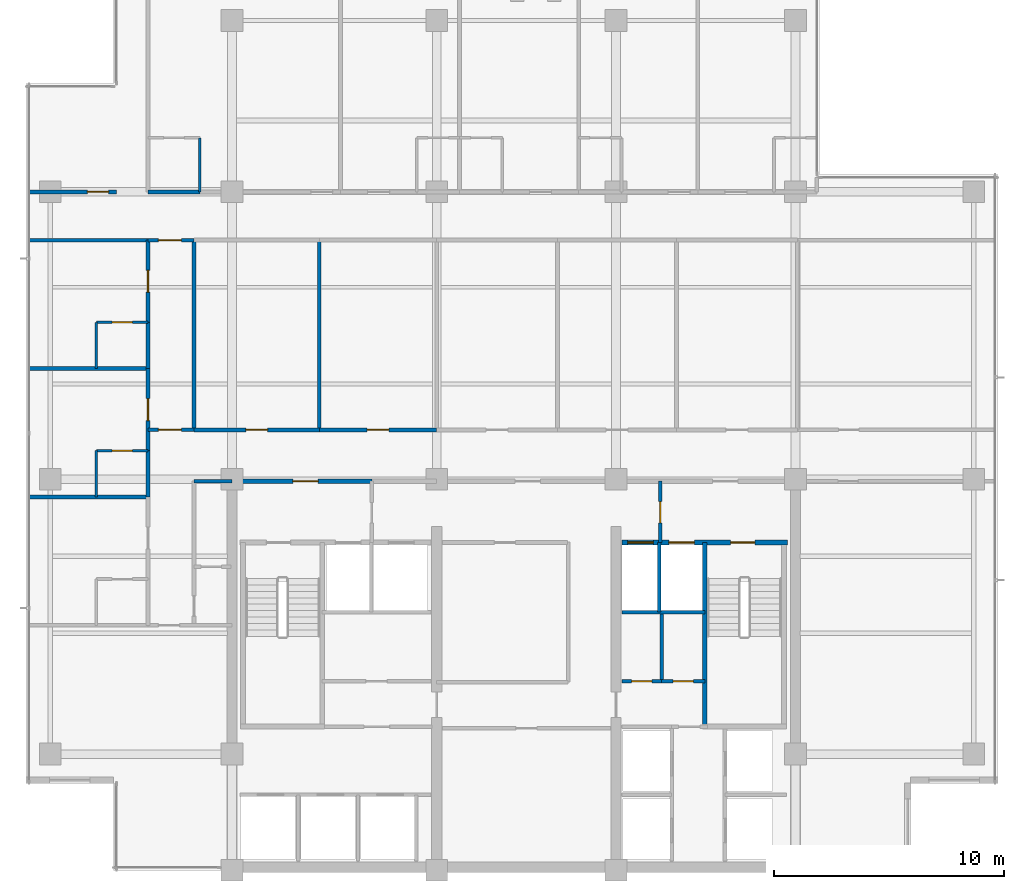
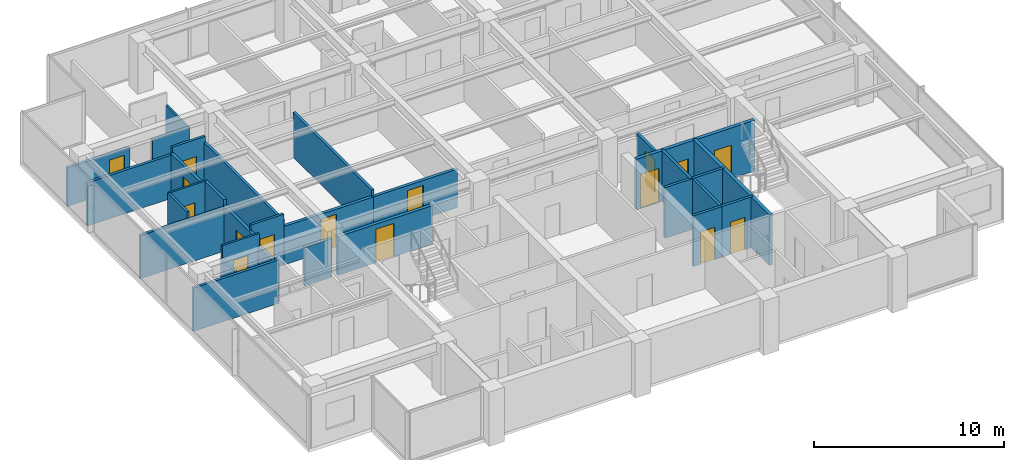
# One storey, part 8 of 15: 30 walls, 16 doors, 16 openings.
"""IFC4 building model written with IfcOpenShell, lengths in metres."""

from ifc_helpers import new_model, si_unit, direction, frame, frame_2d, origin, place, context, subcontext, project, spatial, rectangle, extrude, material, layer, layer_set, type_object, element, fill, save


model = new_model("IFC4")

# Units and contexts
model_context = context("Model", 3, precision=1e-05, world=origin(), true_north=direction((0.0, 1.0)))
body_context = subcontext(model_context, "Body", "Model", "MODEL_VIEW")
ifc_project = project(units=[si_unit("LENGTHUNIT", "METRE"), si_unit("AREAUNIT", "SQUARE_METRE"), si_unit("VOLUMEUNIT", "CUBIC_METRE"), si_unit("PLANEANGLEUNIT", "RADIAN"), si_unit("MASSUNIT", "GRAM", prefix="KILO")], contexts=[model_context])

# Site, building, storey
site_placement = place(None, origin())
site = spatial("IfcSite", under=ifc_project, at=site_placement, CompositionType="ELEMENT")
building_placement = place(site_placement, origin())
building = spatial("IfcBuilding", under=site, at=building_placement, Name="Qalmaran Belvedere Hotel", CompositionType="ELEMENT")
storey_placement = place(building_placement, frame((0.0, 0.0, 203.89990234375)))
storey = spatial("IfcBuildingStorey", under=building, at=storey_placement, Name="L51", CompositionType="ELEMENT", Elevation=203.89990234375)

# Wall
ifc_material_1 = material(Name="Moisture-Resistant Gypsum")
ifc_layer_1 = layer(ifc_material_1, 0.1201171875, Name="Moisture-Resistant Gypsum")
ifc_layer_set_1 = layer_set([ifc_layer_1], Name="Moisture-Resistant Gypsum")
wall_type_1 = type_object("IfcWallType", Name="WL-INT-120-BATH", PredefinedType="PARTITIONING", material=ifc_layer_set_1)
wall_1_placement = place(storey_placement, frame((18.89990234375, 33.0, 0.0), z_axis=(0.0, 0.0, 1.0), x_axis=(0.0, 1.0, 0.0)))
element("IfcWall", 1, at=wall_1_placement, inside=storey, type_object=wall_type_1, Name="L51 Partition WL-L51-NBS00", PredefinedType="PARTITIONING", context=body_context, shape_type="SweptSolid", body=[
    extrude(rectangle(XDim=2.35009765625, YDim=0.1201171875, at=frame_2d((1.175048828125, 0.0))), origin(), (0.0, 0.0, 1.0), 2.47216796875),
])

# Wall, opening, door
wall_2_placement = place(storey_placement, frame((14.39990234375, 21.743408203125, 0.0), z_axis=(0.0, 0.0, 1.0), x_axis=(1.0, 0.0, 0.0)))
wall_2 = element("IfcWall", 2, at=wall_2_placement, inside=storey, type_object=wall_type_1, Name="L51 Partition WL-L51-WBN01", PredefinedType="PARTITIONING", context=body_context, shape_type="SweptSolid", body=[
    extrude(rectangle(XDim=2.25, YDim=0.1201171875, at=frame_2d((1.125, 0.0))), origin(), (0.0, 0.0, 1.0), 3.260009765625),
])
opening_1_placement = place(wall_2_placement, frame((1.56494140625, 0.0, 0.0), z_axis=(0.0, 0.0, 1.0), x_axis=(-1.0, 0.0, 0.0)))
opening_1 = element("IfcOpeningElement", 3, at=opening_1_placement, cuts=wall_2, Name="Opening D-BATH", PredefinedType="OPENING", context=body_context, shape_type="SweptSolid", body=[
    extrude(rectangle(XDim=0.8798828125, YDim=2.080078125, at=frame_2d((0.43994140625, 1.0400390625))), frame((0.0, 0.070068359375, 0.0), z_axis=(0.0, -1.0, 0.0), x_axis=(1.0, 0.0, 0.0)), (0.0, 0.0, 1.0), 0.14013671875),
])
ifc_material_2 = material(Name="Engineered Oak Veneer")
door_type_1 = type_object("IfcDoorType", Name="DR-INT-BATH-880X2080", OperationType="NOTDEFINED", PredefinedType="DOOR", material=ifc_material_2)
door_1_placement = place(opening_1_placement, origin())
door_1 = element("IfcDoor", 4, at=door_1_placement, inside=storey, type_object=door_type_1, Name="L51 W Ensuite Door 02", OperationType="SINGLE_SWING_RIGHT", OverallHeight=2.080078125, OverallWidth=0.8798828125, PredefinedType="DOOR", context=body_context, shape_type="SweptSolid", body=[
    extrude(rectangle(XDim=0.8798828125, YDim=2.080078125, at=frame_2d((0.43994140625, 1.0400390625))), frame((0.0, 0.02490234375, 0.0), z_axis=(0.0, -1.0, 0.0), x_axis=(1.0, 0.0, 0.0)), (0.0, 0.0, 1.0), 0.050048828125),
])
fill(opening_1, door_1)

# Wall
wall_3_placement = place(storey_placement, frame((14.39990234375, 19.7333984375, 0.0), z_axis=(0.0, 0.0, 1.0), x_axis=(0.0, 1.0, 0.0)))
element("IfcWall", 5, at=wall_3_placement, inside=storey, type_object=wall_type_1, Name="L51 Partition WL-L51-WBS01", PredefinedType="PARTITIONING", context=body_context, shape_type="SweptSolid", body=[
    extrude(rectangle(XDim=2.010009765625, YDim=0.1201171875, at=frame_2d((1.0048828125, 0.0))), origin(), (0.0, 0.0, 1.0), 2.47216796875),
])

# Wall, opening, door
wall_4_placement = place(storey_placement, frame((14.39990234375, 27.32666015625, 0.0), z_axis=(0.0, 0.0, 1.0), x_axis=(1.0, 0.0, 0.0)))
wall_4 = element("IfcWall", 6, at=wall_4_placement, inside=storey, type_object=wall_type_1, Name="L51 Partition WL-L51-WBN02", PredefinedType="PARTITIONING", context=body_context, shape_type="SweptSolid", body=[
    extrude(rectangle(XDim=2.25, YDim=0.1201171875, at=frame_2d((1.125, 0.0))), origin(), (0.0, 0.0, 1.0), 3.260009765625),
])
opening_2_placement = place(wall_4_placement, frame((1.56494140625, 0.0, 0.0), z_axis=(0.0, 0.0, 1.0), x_axis=(-1.0, 0.0, 0.0)))
opening_2 = element("IfcOpeningElement", 7, at=opening_2_placement, cuts=wall_4, Name="Opening D-BATH", PredefinedType="OPENING", context=body_context, shape_type="SweptSolid", body=[
    extrude(rectangle(XDim=0.8798828125, YDim=2.080078125, at=frame_2d((0.43994140625, 1.0400390625))), frame((0.0, 0.070068359375, 0.0), z_axis=(0.0, -1.0, 0.0), x_axis=(1.0, 0.0, 0.0)), (0.0, 0.0, 1.0), 0.14013671875),
])
door_2_placement = place(opening_2_placement, origin())
door_2 = element("IfcDoor", 8, at=door_2_placement, inside=storey, type_object=door_type_1, Name="L51 W Ensuite Door 03", OperationType="SINGLE_SWING_RIGHT", OverallHeight=2.080078125, OverallWidth=0.8798828125, PredefinedType="DOOR", context=body_context, shape_type="SweptSolid", body=[
    extrude(rectangle(XDim=0.8798828125, YDim=2.080078125, at=frame_2d((0.43994140625, 1.0400390625))), frame((0.0, 0.02490234375, 0.0), z_axis=(0.0, -1.0, 0.0), x_axis=(1.0, 0.0, 0.0)), (0.0, 0.0, 1.0), 0.050048828125),
])
fill(opening_2, door_2)

# Walls
wall_5_placement = place(storey_placement, frame((14.39990234375, 25.316650390625, 0.0), z_axis=(0.0, 0.0, 1.0), x_axis=(0.0, 1.0, 0.0)))
element("IfcWall", 9, at=wall_5_placement, inside=storey, type_object=wall_type_1, Name="L51 Partition WL-L51-WBS02", PredefinedType="PARTITIONING", context=body_context, shape_type="SweptSolid", body=[
    extrude(rectangle(XDim=2.010009765625, YDim=0.1201171875, at=frame_2d((1.0048828125, 0.0))), origin(), (0.0, 0.0, 1.0), 3.260009765625),
])
ifc_material_3 = material(Name="Gypsum Stud Partition")
ifc_layer_2 = layer(ifc_material_3, 0.14990234375, Name="Gypsum Stud Partition")
ifc_layer_set_2 = layer_set([ifc_layer_2], Name="Gypsum Stud Partition")
wall_type_2 = type_object("IfcWallType", Name="WL-INT-150-EI120", PredefinedType="PARTITIONING", material=ifc_layer_set_2)
wall_6_placement = place(storey_placement, frame((38.8798828125, 14.719970703125, 0.0), z_axis=(0.0, 0.0, 1.0), x_axis=(0.0, 1.0, 0.0)))
element("IfcWall", 10, at=wall_6_placement, inside=storey, type_object=wall_type_2, Name="L51 Partition WL-FF2M-L51", PredefinedType="PARTITIONING", context=body_context, shape_type="SweptSolid", body=[
    extrude(rectangle(XDim=3.0400390625, YDim=0.14990234375, at=frame_2d((1.52001953125, 0.0))), origin(), (0.0, 0.0, 1.0), 3.260009765625),
])
ifc_layer_3 = layer(ifc_material_3, 0.14990234375, Name="Gypsum Stud Partition")
ifc_layer_set_3 = layer_set([ifc_layer_3], Name="Gypsum Stud Partition")
wall_type_3 = type_object("IfcWallType", Name="WL-INT-150-EI60", PredefinedType="PARTITIONING", material=ifc_layer_set_3)
wall_7_placement = place(storey_placement, frame((38.98291015625, 11.719970703125, 0.0), z_axis=(0.0, 0.0, 1.0), x_axis=(0.0, 1.0, 0.0)))
element("IfcWall", 11, at=wall_7_placement, inside=storey, type_object=wall_type_3, Name="L51 Partition WL-L51-KEV1", PredefinedType="PARTITIONING", context=body_context, shape_type="SweptSolid", body=[
    extrude(rectangle(XDim=2.929931640625, YDim=0.14990234375, at=frame_2d((1.46484375, 0.0))), origin(), (0.0, 0.0, 1.0), 3.260009765625),
])

# Wall, opening, door
wall_8_placement = place(storey_placement, frame((16.64990234375, 22.64990234375, 0.0), z_axis=(0.0, 0.0, 1.0), x_axis=(1.0, 0.0, 0.0)))
wall_8 = element("IfcWall", 12, at=wall_8_placement, inside=storey, type_object=wall_type_3, Name="L51 Partition WL-L51-XCW1", PredefinedType="PARTITIONING", context=body_context, shape_type="SweptSolid", body=[
    extrude(rectangle(XDim=2.0, YDim=0.14990234375, at=frame_2d((1.0, 0.0))), origin(), (0.0, 0.0, 1.0), 3.260009765625),
])
opening_3_placement = place(wall_8_placement, frame((0.449951171875, 0.0, 0.0)))
opening_3 = element("IfcOpeningElement", 13, at=opening_3_placement, cuts=wall_8, Name="Opening FD90B", PredefinedType="OPENING", context=body_context, shape_type="SweptSolid", body=[
    extrude(rectangle(XDim=1.0, YDim=2.14990234375, at=frame_2d((0.5, 1.074951171875))), frame((0.0, 0.0849609375, 0.0), z_axis=(0.0, -1.0, 0.0), x_axis=(1.0, 0.0, 0.0)), (0.0, 0.0, 1.0), 0.169921875),
])
ifc_material_4 = material(Name="Steel S355JR", Category="steel")
door_type_2 = type_object("IfcDoorType", Name="DR-FD90B-1000X2150", OperationType="NOTDEFINED", PredefinedType="DOOR", material=ifc_material_4)
door_3_placement = place(opening_3_placement, origin())
door_3 = element("IfcDoor", 14, at=door_3_placement, inside=storey, type_object=door_type_2, Name="L51 West Corridor Smoke Door S", OperationType="SINGLE_SWING_LEFT", OverallHeight=2.14990234375, OverallWidth=1.0, PredefinedType="DOOR", context=body_context, shape_type="SweptSolid", body=[
    extrude(rectangle(XDim=1.0, YDim=2.14990234375, at=frame_2d((0.5, 1.074951171875))), frame((0.0, 0.02490234375, 0.0), z_axis=(0.0, -1.0, 0.0), x_axis=(1.0, 0.0, 0.0)), (0.0, 0.0, 1.0), 0.050048828125),
])
fill(opening_3, door_3)

wall_9_placement = place(storey_placement, frame((16.64990234375, 30.89990234375, 0.0), z_axis=(0.0, 0.0, 1.0), x_axis=(1.0, 0.0, 0.0)))
wall_9 = element("IfcWall", 15, at=wall_9_placement, inside=storey, type_object=wall_type_3, Name="L51 Partition WL-L51-XCW2", PredefinedType="PARTITIONING", context=body_context, shape_type="SweptSolid", body=[
    extrude(rectangle(XDim=2.0, YDim=0.14990234375, at=frame_2d((1.0, 0.0))), origin(), (0.0, 0.0, 1.0), 3.260009765625),
])
opening_4_placement = place(wall_9_placement, frame((0.449951171875, 0.0, 0.0)))
opening_4 = element("IfcOpeningElement", 16, at=opening_4_placement, cuts=wall_9, Name="Opening FD90B", PredefinedType="OPENING", context=body_context, shape_type="SweptSolid", body=[
    extrude(rectangle(XDim=1.0, YDim=2.14990234375, at=frame_2d((0.5, 1.074951171875))), frame((0.0, 0.0849609375, 0.0), z_axis=(0.0, -1.0, 0.0), x_axis=(1.0, 0.0, 0.0)), (0.0, 0.0, 1.0), 0.169921875),
])
door_4_placement = place(opening_4_placement, origin())
door_4 = element("IfcDoor", 17, at=door_4_placement, inside=storey, type_object=door_type_2, Name="L51 West Corridor Smoke Door N", OperationType="SINGLE_SWING_RIGHT", OverallHeight=2.14990234375, OverallWidth=1.0, PredefinedType="DOOR", context=body_context, shape_type="SweptSolid", body=[
    extrude(rectangle(XDim=1.0, YDim=2.14990234375, at=frame_2d((0.5, 1.074951171875))), frame((0.0, 0.02490234375, 0.0), z_axis=(0.0, -1.0, 0.0), x_axis=(1.0, 0.0, 0.0)), (0.0, 0.0, 1.0), 0.050048828125),
])
fill(opening_4, door_4)

ifc_layer_4 = layer(ifc_material_3, 0.159912109375, Name="Gypsum Stud Partition")
ifc_layer_set_4 = layer_set([ifc_layer_4], Name="Gypsum Stud Partition")
wall_type_4 = type_object("IfcWallType", Name="WL-INT-160-EI120", PredefinedType="PARTITIONING", material=ifc_layer_set_4)
wall_10_placement = place(storey_placement, frame((38.919921875, 17.760009765625, 0.0), z_axis=(0.0, 0.0, 1.0), x_axis=(0.0, 1.0, 0.0)))
wall_10 = element("IfcWall", 18, at=wall_10_placement, inside=storey, type_object=wall_type_4, Name="L51 Partition WL-FFSV2-L51", PredefinedType="PARTITIONING", context=body_context, shape_type="SweptSolid", body=[
    extrude(rectangle(XDim=2.659912109375, YDim=0.159912109375, at=frame_2d((1.330078125, 0.0))), origin(), (0.0, 0.0, 1.0), 2.7060546875),
])
opening_5_placement = place(wall_10_placement, frame((1.77001953125, 0.0, 0.0), z_axis=(0.0, 0.0, 1.0), x_axis=(-1.0, 0.0, 0.0)))
opening_5 = element("IfcOpeningElement", 19, at=opening_5_placement, cuts=wall_10, Name="Opening FD60S1", PredefinedType="OPENING", context=body_context, shape_type="SweptSolid", body=[
    extrude(rectangle(XDim=0.919921875, YDim=2.080078125, at=frame_2d((0.4599609375, 1.0400390625))), frame((0.0, 0.08984375, 0.0), z_axis=(0.0, -1.0, 0.0), x_axis=(1.0, 0.0, 0.0)), (0.0, 0.0, 1.0), 0.179931640625),
])
door_type_3 = type_object("IfcDoorType", Name="DR-FD60S-920X2080", OperationType="NOTDEFINED", PredefinedType="DOOR", material=ifc_material_2)
door_5_placement = place(opening_5_placement, origin())
door_5 = element("IfcDoor", 20, at=door_5_placement, inside=storey, type_object=door_type_3, Name="L51 Service Lobby East Door", OperationType="SINGLE_SWING_RIGHT", OverallHeight=2.080078125, OverallWidth=0.919921875, PredefinedType="DOOR", context=body_context, shape_type="SweptSolid", body=[
    extrude(rectangle(XDim=0.919921875, YDim=2.080078125, at=frame_2d((0.4599609375, 1.0400390625))), frame((0.0, 0.02490234375, 0.0), z_axis=(0.0, -1.0, 0.0), x_axis=(1.0, 0.0, 0.0)), (0.0, 0.0, 1.0), 0.050048828125),
])
fill(opening_5, door_5)

# Wall
wall_11_placement = place(storey_placement, frame((37.25, 14.719970703125, 0.0), z_axis=(0.0, 0.0, 1.0), x_axis=(1.0, 0.0, 0.0)))
element("IfcWall", 21, at=wall_11_placement, inside=storey, type_object=wall_type_4, Name="L51 Partition WL-FF2S-L51", PredefinedType="PARTITIONING", context=body_context, shape_type="SweptSolid", body=[
    extrude(rectangle(XDim=3.610107421875, YDim=0.159912109375, at=frame_2d((1.80517578125, 0.0))), origin(), (0.0, 0.0, 1.0), 3.260009765625),
])

# Wall, opening, door
ifc_layer_5 = layer(ifc_material_3, 0.159912109375, Name="Gypsum Stud Partition")
ifc_layer_set_5 = layer_set([ifc_layer_5], Name="Gypsum Stud Partition")
wall_type_5 = type_object("IfcWallType", Name="WL-INT-160-EI60", PredefinedType="PARTITIONING", material=ifc_layer_set_5)
wall_12_placement = place(storey_placement, frame((37.25, 11.719970703125, 0.0), z_axis=(0.0, 0.0, 1.0), x_axis=(1.0, 0.0, 0.0)))
wall_12 = element("IfcWall", 22, at=wall_12_placement, inside=storey, type_object=wall_type_5, Name="L51 Partition WL-L51-KEE1", PredefinedType="PARTITIONING", context=body_context, shape_type="SweptSolid", body=[
    extrude(rectangle(XDim=1.73291015625, YDim=0.159912109375, at=frame_2d((0.866455078125, 0.0))), origin(), (0.0, 0.0, 1.0), 3.260009765625),
])
opening_6_placement = place(wall_12_placement, frame((0.426513671875, 0.0, 0.0)))
opening_6 = element("IfcOpeningElement", 23, at=opening_6_placement, cuts=wall_12, Name="Opening FD60B", PredefinedType="OPENING", context=body_context, shape_type="SweptSolid", body=[
    extrude(rectangle(XDim=0.8798828125, YDim=2.080078125, at=frame_2d((0.43994140625, 1.0400390625))), frame((0.0, 0.08984375, 0.0), z_axis=(0.0, -1.0, 0.0), x_axis=(1.0, 0.0, 0.0)), (0.0, 0.0, 1.0), 0.179931640625),
])
door_type_4 = type_object("IfcDoorType", Name="DR-FD60B-880X2080", OperationType="NOTDEFINED", PredefinedType="DOOR", material=ifc_material_4)
door_6_placement = place(opening_6_placement, origin())
door_6 = element("IfcDoor", 24, at=door_6_placement, inside=storey, type_object=door_type_4, Name="L51 Cleaner Equipment Store Door", OperationType="SINGLE_SWING_LEFT", OverallHeight=2.080078125, OverallWidth=0.8798828125, PredefinedType="DOOR", context=body_context, shape_type="SweptSolid", body=[
    extrude(rectangle(XDim=0.8798828125, YDim=2.080078125, at=frame_2d((0.43994140625, 1.0400390625))), frame((0.0, 0.02490234375, 0.0), z_axis=(0.0, -1.0, 0.0), x_axis=(1.0, 0.0, 0.0)), (0.0, 0.0, 1.0), 0.050048828125),
])
fill(opening_6, door_6)

wall_13_placement = place(storey_placement, frame((38.98291015625, 11.719970703125, 0.0), z_axis=(0.0, 0.0, 1.0), x_axis=(1.0, 0.0, 0.0)))
wall_13 = element("IfcWall", 25, at=wall_13_placement, inside=storey, type_object=wall_type_5, Name="L51 Partition WL-L51-KEE2", PredefinedType="PARTITIONING", context=body_context, shape_type="SweptSolid", body=[
    extrude(rectangle(XDim=1.877197265625, YDim=0.159912109375, at=frame_2d((0.9384765625, 0.0))), origin(), (0.0, 0.0, 1.0), 3.260009765625),
])
opening_7_placement = place(wall_13_placement, frame((0.49853515625, 0.0, 0.0)))
opening_7 = element("IfcOpeningElement", 26, at=opening_7_placement, cuts=wall_13, Name="Opening FD60B", PredefinedType="OPENING", context=body_context, shape_type="SweptSolid", body=[
    extrude(rectangle(XDim=0.8798828125, YDim=2.080078125, at=frame_2d((0.43994140625, 1.0400390625))), frame((0.0, 0.08984375, 0.0), z_axis=(0.0, -1.0, 0.0), x_axis=(1.0, 0.0, 0.0)), (0.0, 0.0, 1.0), 0.179931640625),
])
door_7_placement = place(opening_7_placement, origin())
door_7 = element("IfcDoor", 27, at=door_7_placement, inside=storey, type_object=door_type_4, Name="L51 Low Voltage Switch Room Door", OperationType="SINGLE_SWING_RIGHT", OverallHeight=2.080078125, OverallWidth=0.8798828125, PredefinedType="DOOR", context=body_context, shape_type="SweptSolid", body=[
    extrude(rectangle(XDim=0.8798828125, YDim=2.080078125, at=frame_2d((0.43994140625, 1.0400390625))), frame((0.0, 0.02490234375, 0.0), z_axis=(0.0, -1.0, 0.0), x_axis=(1.0, 0.0, 0.0)), (0.0, 0.0, 1.0), 0.050048828125),
])
fill(opening_7, door_7)

# Walls
wall_14_placement = place(storey_placement, frame((18.64990234375, 20.419921875, 0.0), z_axis=(0.0, 0.0, 1.0), x_axis=(1.0, 0.0, 0.0)))
element("IfcWall", 28, at=wall_14_placement, inside=storey, type_object=wall_type_5, Name="L51 Partition WL-L51-WCLN", PredefinedType="PARTITIONING", context=body_context, shape_type="SweptSolid", body=[
    extrude(rectangle(XDim=1.650146484375, YDim=0.159912109375, at=frame_2d((0.8251953125, 0.0))), origin(), (0.0, 0.0, 1.0), 2.47216796875),
])
for number, where, z_axis, x_axis, name in (
    (29, (18.64990234375, 22.64990234375, 0.0), (0.0, 0.0, 1.0), (0.0, 1.0, 0.0), "L51 Partition WL-L51-MIDVL"),
    (30, (24.10009765625, 22.64990234375, 0.0), (0.0, 0.0, 1.0), (0.0, 1.0, 0.0), "L51 Partition WL-L51-MIDVR1"),
):
    element("IfcWall", number, at=place(storey_placement, frame(where, z_axis=z_axis, x_axis=x_axis)), inside=storey, type_object=wall_type_5, Name=name, PredefinedType="PARTITIONING", context=body_context, shape_type="SweptSolid", body=[
        extrude(rectangle(XDim=8.25, YDim=0.159912109375, at=frame_2d((4.125, 0.0))), origin(), (0.0, 0.0, 1.0), 2.88720703125),
    ])
for number, where, z_axis, x_axis, name in (
    (31, (11.469970703125, 19.7333984375, 0.0), (0.0, 0.0, 1.0), (1.0, 0.0, 0.0), "L51 Partition WL-L51-WU00"),
    (32, (11.469970703125, 25.316650390625, 0.0), (0.0, 0.0, 1.0), (1.0, 0.0, 0.0), "L51 Partition WL-L51-WU01"),
    (33, (11.469970703125, 30.89990234375, 0.0), (0.0, 0.0, 1.0), (1.0, 0.0, 0.0), "L51 Partition WL-L51-WU02"),
):
    element("IfcWall", number, at=place(storey_placement, frame(where, z_axis=z_axis, x_axis=x_axis)), inside=storey, type_object=wall_type_5, Name=name, PredefinedType="PARTITIONING", context=body_context, shape_type="SweptSolid", body=[
        extrude(rectangle(XDim=5.179931640625, YDim=0.159912109375, at=frame_2d((2.58984375, 0.0))), origin(), (0.0, 0.0, 1.0), 2.781982421875),
    ])

# Wall, opening, door
ifc_layer_6 = layer(ifc_material_3, 0.179931640625, Name="Gypsum Stud Partition")
ifc_layer_set_6 = layer_set([ifc_layer_6], Name="Gypsum Stud Partition")
wall_type_6 = type_object("IfcWallType", Name="WL-INT-180-EI60", PredefinedType="PARTITIONING", material=ifc_layer_set_6)
wall_15_placement = place(storey_placement, frame((18.64990234375, 22.64990234375, 0.0), z_axis=(0.0, 0.0, 1.0), x_axis=(1.0, 0.0, 0.0)))
wall_15 = element("IfcWall", 34, at=wall_15_placement, inside=storey, type_object=wall_type_6, Name="L51 Partition WL-L51-MIDD1", PredefinedType="PARTITIONING", context=body_context, shape_type="SweptSolid", body=[
    extrude(rectangle(XDim=5.4501953125, YDim=0.179931640625, at=frame_2d((2.72509765625, 0.0))), origin(), (0.0, 0.0, 1.0), 2.47216796875),
])
opening_8_placement = place(wall_15_placement, frame((2.25, 0.0, 0.0)))
opening_8 = element("IfcOpeningElement", 35, at=opening_8_placement, cuts=wall_15, Name="Opening FD60", PredefinedType="OPENING", context=body_context, shape_type="SweptSolid", body=[
    extrude(rectangle(XDim=0.949951171875, YDim=2.14990234375, at=frame_2d((0.47509765625, 1.074951171875))), frame((0.0, 0.10009765625, 0.0), z_axis=(0.0, -1.0, 0.0), x_axis=(1.0, 0.0, 0.0)), (0.0, 0.0, 1.0), 0.199951171875),
])
door_type_5 = type_object("IfcDoorType", Name="DR-FD60-950X2150", OperationType="NOTDEFINED", PredefinedType="DOOR", material=ifc_material_2)
door_8_placement = place(opening_8_placement, origin())
door_8 = element("IfcDoor", 36, at=door_8_placement, inside=storey, type_object=door_type_5, Name="L51 Housekeeping and Linen Room Door", OperationType="SINGLE_SWING_LEFT", OverallHeight=2.14990234375, OverallWidth=0.949951171875, PredefinedType="DOOR", context=body_context, shape_type="SweptSolid", body=[
    extrude(rectangle(XDim=0.949951171875, YDim=2.14990234375, at=frame_2d((0.47509765625, 1.074951171875))), frame((0.0, 0.02490234375, 0.0), z_axis=(0.0, -1.0, 0.0), x_axis=(1.0, 0.0, 0.0)), (0.0, 0.0, 1.0), 0.050048828125),
])
fill(opening_8, door_8)

wall_16_placement = place(storey_placement, frame((24.10009765625, 22.64990234375, 0.0), z_axis=(0.0, 0.0, 1.0), x_axis=(1.0, 0.0, 0.0)))
wall_16 = element("IfcWall", 37, at=wall_16_placement, inside=storey, type_object=wall_type_6, Name="L51 Partition WL-L51-MIDD2", PredefinedType="PARTITIONING", context=body_context, shape_type="SweptSolid", body=[
    extrude(rectangle(XDim=5.099853515625, YDim=0.179931640625, at=frame_2d((2.5498046875, 0.0))), origin(), (0.0, 0.0, 1.0), 2.47216796875),
])
opening_9_placement = place(wall_16_placement, frame((2.074951171875, 0.0, 0.0)))
opening_9 = element("IfcOpeningElement", 38, at=opening_9_placement, cuts=wall_16, Name="Opening FD60", PredefinedType="OPENING", context=body_context, shape_type="SweptSolid", body=[
    extrude(rectangle(XDim=0.949951171875, YDim=2.14990234375, at=frame_2d((0.47509765625, 1.074951171875))), frame((0.0, 0.10009765625, 0.0), z_axis=(0.0, -1.0, 0.0), x_axis=(1.0, 0.0, 0.0)), (0.0, 0.0, 1.0), 0.199951171875),
])
door_9_placement = place(opening_9_placement, origin())
door_9 = element("IfcDoor", 39, at=door_9_placement, inside=storey, type_object=door_type_5, Name="L51 Butler Pantry Door", OperationType="SINGLE_SWING_RIGHT", OverallHeight=2.14990234375, OverallWidth=0.949951171875, PredefinedType="DOOR", context=body_context, shape_type="SweptSolid", body=[
    extrude(rectangle(XDim=0.949951171875, YDim=2.14990234375, at=frame_2d((0.47509765625, 1.074951171875))), frame((0.0, 0.02490234375, 0.0), z_axis=(0.0, -1.0, 0.0), x_axis=(1.0, 0.0, 0.0)), (0.0, 0.0, 1.0), 0.050048828125),
])
fill(opening_9, door_9)

# Walls
wall_17_placement = place(storey_placement, frame((16.64990234375, 33.0, 0.0), z_axis=(0.0, 0.0, 1.0), x_axis=(1.0, 0.0, 0.0)))
element("IfcWall", 40, at=wall_17_placement, inside=storey, type_object=wall_type_6, Name="L51 Partition WL-L51-NBC00", PredefinedType="PARTITIONING", context=body_context, shape_type="SweptSolid", body=[
    extrude(rectangle(XDim=2.25, YDim=0.179931640625, at=frame_2d((1.125, 0.0))), origin(), (0.0, 0.0, 1.0), 2.47216796875),
])
wall_18_placement = place(storey_placement, frame((16.64990234375, 19.7333984375, 0.0), z_axis=(0.0, 0.0, 1.0), x_axis=(0.0, 1.0, 0.0)))
element("IfcWall", 41, at=wall_18_placement, inside=storey, type_object=wall_type_6, Name="L51 Partition WL-L51-WBC01", PredefinedType="PARTITIONING", context=body_context, shape_type="SweptSolid", body=[
    extrude(rectangle(XDim=2.010009765625, YDim=0.179931640625, at=frame_2d((1.0048828125, 0.0))), origin(), (0.0, 0.0, 1.0), 2.47216796875),
])

# Wall, opening, door
wall_19_placement = place(storey_placement, frame((16.64990234375, 21.743408203125, 0.0), z_axis=(0.0, 0.0, 1.0), x_axis=(0.0, 1.0, 0.0)))
wall_19 = element("IfcWall", 42, at=wall_19_placement, inside=storey, type_object=wall_type_6, Name="L51 Partition WL-L51-WEC01", PredefinedType="PARTITIONING", context=body_context, shape_type="SweptSolid", body=[
    extrude(rectangle(XDim=3.5732421875, YDim=0.179931640625, at=frame_2d((1.78662109375, 0.0))), origin(), (0.0, 0.0, 1.0), 2.88720703125),
])
opening_10_placement = place(wall_19_placement, frame((1.311767578125, 0.0, 0.0)))
opening_10 = element("IfcOpeningElement", 43, at=opening_10_placement, cuts=wall_19, Name="Opening FD60", PredefinedType="OPENING", context=body_context, shape_type="SweptSolid", body=[
    extrude(rectangle(XDim=0.949951171875, YDim=2.14990234375, at=frame_2d((0.47509765625, 1.074951171875))), frame((0.0, 0.10009765625, 0.0), z_axis=(0.0, -1.0, 0.0), x_axis=(1.0, 0.0, 0.0)), (0.0, 0.0, 1.0), 0.199951171875),
])
door_10_placement = place(opening_10_placement, origin())
door_10 = element("IfcDoor", 44, at=door_10_placement, inside=storey, type_object=door_type_5, Name="L51 W Wing Door 02", OperationType="SINGLE_SWING_LEFT", OverallHeight=2.14990234375, OverallWidth=0.949951171875, PredefinedType="DOOR", context=body_context, shape_type="SweptSolid", body=[
    extrude(rectangle(XDim=0.949951171875, YDim=2.14990234375, at=frame_2d((0.47509765625, 1.074951171875))), frame((0.0, 0.02490234375, 0.0), z_axis=(0.0, -1.0, 0.0), x_axis=(1.0, 0.0, 0.0)), (0.0, 0.0, 1.0), 0.050048828125),
])
fill(opening_10, door_10)

# Wall
wall_20_placement = place(storey_placement, frame((16.64990234375, 25.316650390625, 0.0), z_axis=(0.0, 0.0, 1.0), x_axis=(0.0, 1.0, 0.0)))
element("IfcWall", 45, at=wall_20_placement, inside=storey, type_object=wall_type_6, Name="L51 Partition WL-L51-WBC02", PredefinedType="PARTITIONING", context=body_context, shape_type="SweptSolid", body=[
    extrude(rectangle(XDim=2.010009765625, YDim=0.179931640625, at=frame_2d((1.0048828125, 0.0))), origin(), (0.0, 0.0, 1.0), 3.260009765625),
])

# Wall, opening, door
wall_21_placement = place(storey_placement, frame((16.64990234375, 27.32666015625, 0.0), z_axis=(0.0, 0.0, 1.0), x_axis=(0.0, 1.0, 0.0)))
wall_21 = element("IfcWall", 46, at=wall_21_placement, inside=storey, type_object=wall_type_6, Name="L51 Partition WL-L51-WEC02", PredefinedType="PARTITIONING", context=body_context, shape_type="SweptSolid", body=[
    extrude(rectangle(XDim=3.5732421875, YDim=0.179931640625, at=frame_2d((1.78662109375, 0.0))), origin(), (0.0, 0.0, 1.0), 2.88720703125),
])
opening_11_placement = place(wall_21_placement, frame((1.3115234375, 0.0, 0.0)))
opening_11 = element("IfcOpeningElement", 47, at=opening_11_placement, cuts=wall_21, Name="Opening FD60", PredefinedType="OPENING", context=body_context, shape_type="SweptSolid", body=[
    extrude(rectangle(XDim=0.949951171875, YDim=2.14990234375, at=frame_2d((0.47509765625, 1.074951171875))), frame((0.0, 0.10009765625, 0.0), z_axis=(0.0, -1.0, 0.0), x_axis=(1.0, 0.0, 0.0)), (0.0, 0.0, 1.0), 0.199951171875),
])
door_11_placement = place(opening_11_placement, origin())
door_11 = element("IfcDoor", 48, at=door_11_placement, inside=storey, type_object=door_type_5, Name="L51 W Wing Door 03", OperationType="SINGLE_SWING_LEFT", OverallHeight=2.14990234375, OverallWidth=0.949951171875, PredefinedType="DOOR", context=body_context, shape_type="SweptSolid", body=[
    extrude(rectangle(XDim=0.949951171875, YDim=2.14990234375, at=frame_2d((0.47509765625, 1.074951171875))), frame((0.0, 0.02490234375, 0.0), z_axis=(0.0, -1.0, 0.0), x_axis=(1.0, 0.0, 0.0)), (0.0, 0.0, 1.0), 0.050048828125),
])
fill(opening_11, door_11)

wall_22_placement = place(storey_placement, frame((11.469970703125, 33.0, 0.0), z_axis=(0.0, 0.0, 1.0), x_axis=(1.0, 0.0, 0.0)))
wall_22 = element("IfcWall", 49, at=wall_22_placement, inside=storey, type_object=wall_type_6, Name="L51 Partition WL-L51-NWSD", PredefinedType="PARTITIONING", context=body_context, shape_type="SweptSolid", body=[
    extrude(rectangle(XDim=3.800048828125, YDim=0.179931640625, at=frame_2d((1.89990234375, 0.0))), origin(), (0.0, 0.0, 1.0), 2.47216796875),
])
opening_12_placement = place(wall_22_placement, frame((2.543701171875, 0.0, 0.0)))
opening_12 = element("IfcOpeningElement", 50, at=opening_12_placement, cuts=wall_22, Name="Opening FD60S1", PredefinedType="OPENING", context=body_context, shape_type="SweptSolid", body=[
    extrude(rectangle(XDim=0.919921875, YDim=2.080078125, at=frame_2d((0.4599609375, 1.0400390625))), frame((0.0, 0.10009765625, 0.0), z_axis=(0.0, -1.0, 0.0), x_axis=(1.0, 0.0, 0.0)), (0.0, 0.0, 1.0), 0.199951171875),
])
door_12_placement = place(opening_12_placement, origin())
door_12 = element("IfcDoor", 51, at=door_12_placement, inside=storey, type_object=door_type_3, Name="L51 NW Belvedere Study Door", OperationType="SINGLE_SWING_RIGHT", OverallHeight=2.080078125, OverallWidth=0.919921875, PredefinedType="DOOR", context=body_context, shape_type="SweptSolid", body=[
    extrude(rectangle(XDim=0.919921875, YDim=2.080078125, at=frame_2d((0.4599609375, 1.0400390625))), frame((0.0, 0.02490234375, 0.0), z_axis=(0.0, -1.0, 0.0), x_axis=(1.0, 0.0, 0.0)), (0.0, 0.0, 1.0), 0.050048828125),
])
fill(opening_12, door_12)

ifc_material_5 = material(Name="Concrete C30/37 Blockwork", Category="masonry")
ifc_layer_7 = layer(ifc_material_5, 0.199951171875, Name="Concrete C30/37 Blockwork")
ifc_layer_set_7 = layer_set([ifc_layer_7], Name="Concrete C30/37 Blockwork")
wall_type_7 = type_object("IfcWallType", Name="WL-INT-200-EI120", PredefinedType="PARTITIONING", material=ifc_layer_set_7)
wall_23_placement = place(storey_placement, frame((20.64990234375, 20.419921875, 0.0), z_axis=(0.0, 0.0, 1.0), x_axis=(1.0, 0.0, 0.0)))
wall_23 = element("IfcWall", 52, at=wall_23_placement, inside=storey, type_object=wall_type_7, Name="L51 Partition WL-CN1A-L51", PredefinedType="PARTITIONING", context=body_context, shape_type="SweptSolid", body=[
    extrude(rectangle(XDim=5.72998046875, YDim=0.199951171875, at=frame_2d((2.864990234375, 0.0))), origin(), (0.0, 0.0, 1.0), 2.47216796875),
])
opening_13_placement = place(wall_23_placement, frame((2.300048828125, 0.0, 0.0)))
opening_13 = element("IfcOpeningElement", 53, at=opening_13_placement, cuts=wall_23, Name="Opening FD90", PredefinedType="OPENING", context=body_context, shape_type="SweptSolid", body=[
    extrude(rectangle(XDim=1.10009765625, YDim=2.14990234375, at=frame_2d((0.550048828125, 1.074951171875))), frame((0.0, 0.10986328125, 0.0), z_axis=(0.0, -1.0, 0.0), x_axis=(1.0, 0.0, 0.0)), (0.0, 0.0, 1.0), 0.219970703125),
])
door_type_6 = type_object("IfcDoorType", Name="DR-FD90-1100X2150", OperationType="NOTDEFINED", PredefinedType="DOOR", material=ifc_material_4)
door_13_placement = place(opening_13_placement, origin())
door_13 = element("IfcDoor", 54, at=door_13_placement, inside=storey, type_object=door_type_6, Name="L51 FF1 Lobby Corridor Door", OperationType="SINGLE_SWING_LEFT", OverallHeight=2.14990234375, OverallWidth=1.10009765625, PredefinedType="DOOR", context=body_context, shape_type="SweptSolid", body=[
    extrude(rectangle(XDim=1.10009765625, YDim=2.14990234375, at=frame_2d((0.550048828125, 1.074951171875))), frame((0.0, 0.02490234375, 0.0), z_axis=(0.0, -1.0, 0.0), x_axis=(1.0, 0.0, 0.0)), (0.0, 0.0, 1.0), 0.050048828125),
])
fill(opening_13, door_13)

# Wall
ifc_material_6 = material(Name="Concrete C50/60", Category="concrete")
ifc_layer_8 = layer(ifc_material_6, 0.2099609375, Name="Concrete C50/60")
ifc_layer_set_8 = layer_set([ifc_layer_8], Name="Concrete C50/60")
wall_type_8 = type_object("IfcWallType", Name="WL-STAIR-210-C50", PredefinedType="SHEAR", material=ifc_layer_set_8)
wall_24_placement = place(storey_placement, frame((40.85498046875, 9.7451171875, 0.0), z_axis=(0.0, 0.0, 1.0), x_axis=(0.0, 1.0, 0.0)))
element("IfcWall", 55, at=wall_24_placement, inside=storey, type_object=wall_type_8, Name="L51 Stair ST-2 West Bearing Wall", PredefinedType="SHEAR", context=body_context, shape_type="SweptSolid", body=[
    extrude(rectangle(XDim=8.009765625, YDim=0.2099609375, at=frame_2d((4.0048828125, 0.0))), origin(), (0.0, 0.0, 1.0), 3.260009765625),
])

# Wall, openings, doors
wall_25_placement = place(storey_placement, frame((37.25, 17.7548828125, 0.0), z_axis=(0.0, 0.0, 1.0), x_axis=(1.0, 0.0, 0.0)))
wall_25 = element("IfcWall", 56, at=wall_25_placement, inside=storey, type_object=wall_type_8, Name="L51 East Lobby and Stair ST-2 North Bearing Wall", PredefinedType="SHEAR", context=body_context, shape_type="SweptSolid", body=[
    extrude(rectangle(XDim=7.199951171875, YDim=0.2099609375, at=frame_2d((3.60009765625, 0.0))), origin(), (0.0, 0.0, 1.0), 3.260009765625),
])
opening_14_placement = place(wall_25_placement, frame((0.25, 0.0, 0.0)))
opening_14 = element("IfcOpeningElement", 57, at=opening_14_placement, cuts=wall_25, Name="Opening LD-SV", PredefinedType="OPENING", context=body_context, shape_type="SweptSolid", body=[
    extrude(rectangle(XDim=1.1201171875, YDim=2.199951171875, at=frame_2d((0.56005859375, 1.10009765625))), frame((0.0, 0.114990234375, 0.0), z_axis=(0.0, -1.0, 0.0), x_axis=(1.0, 0.0, 0.0)), (0.0, 0.0, 1.0), 0.22998046875),
])
opening_15_placement = place(wall_25_placement, frame((2.050048828125, 0.0, 0.0)))
opening_15 = element("IfcOpeningElement", 58, at=opening_15_placement, cuts=wall_25, Name="Opening LD-FF", PredefinedType="OPENING", context=body_context, shape_type="SweptSolid", body=[
    extrude(rectangle(XDim=1.10009765625, YDim=2.179931640625, at=frame_2d((0.550048828125, 1.08984375))), frame((0.0, 0.114990234375, 0.0), z_axis=(0.0, -1.0, 0.0), x_axis=(1.0, 0.0, 0.0)), (0.0, 0.0, 1.0), 0.22998046875),
])
opening_16_placement = place(wall_25_placement, frame((5.780029296875, 0.0, 0.0), z_axis=(0.0, 0.0, 1.0), x_axis=(-1.0, 0.0, 0.0)))
opening_16 = element("IfcOpeningElement", 59, at=opening_16_placement, cuts=wall_25, Name="Opening FD90S2", PredefinedType="OPENING", context=body_context, shape_type="SweptSolid", body=[
    extrude(rectangle(XDim=1.050048828125, YDim=2.14990234375, at=frame_2d((0.52490234375, 1.074951171875))), frame((0.0, 0.114990234375, 0.0), z_axis=(0.0, -1.0, 0.0), x_axis=(1.0, 0.0, 0.0)), (0.0, 0.0, 1.0), 0.22998046875),
])
door_type_7 = type_object("IfcDoorType", Name="DR-FD90S-1050X2150", OperationType="NOTDEFINED", PredefinedType="DOOR", material=ifc_material_4)
door_14_placement = place(opening_16_placement, origin())
door_14 = element("IfcDoor", 60, at=door_14_placement, inside=storey, type_object=door_type_7, Name="L51 Stair ST-2 Door", OperationType="SINGLE_SWING_RIGHT", OverallHeight=2.14990234375, OverallWidth=1.050048828125, PredefinedType="DOOR", context=body_context, shape_type="SweptSolid", body=[
    extrude(rectangle(XDim=1.050048828125, YDim=2.14990234375, at=frame_2d((0.52490234375, 1.074951171875))), frame((0.0, 0.02490234375, 0.0), z_axis=(0.0, -1.0, 0.0), x_axis=(1.0, 0.0, 0.0)), (0.0, 0.0, 1.0), 0.050048828125),
])
fill(opening_16, door_14)
ifc_material_7 = material(Name="Stainless Steel 1.4401", Category="steel")
door_type_8 = type_object("IfcDoorType", Name="DR-LIFT-FF-1100X2180", OperationType="DOUBLE_DOOR_SLIDING", PredefinedType="DOOR", material=ifc_material_7)
door_15_placement = place(opening_15_placement, origin())
door_15 = element("IfcDoor", 61, at=door_15_placement, inside=storey, type_object=door_type_8, Name="L51 FF2 Lift Landing Door", OperationType="DOUBLE_DOOR_SLIDING", OverallHeight=2.179931640625, OverallWidth=1.10009765625, PredefinedType="DOOR", context=body_context, shape_type="SweptSolid", body=[
    extrude(rectangle(XDim=1.10009765625, YDim=2.179931640625, at=frame_2d((0.550048828125, 1.08984375))), frame((0.0, 0.02490234375, 0.0), z_axis=(0.0, -1.0, 0.0), x_axis=(1.0, 0.0, 0.0)), (0.0, 0.0, 1.0), 0.050048828125),
])
fill(opening_15, door_15)
door_type_9 = type_object("IfcDoorType", Name="DR-LIFT-SV-1120X2200", OperationType="DOUBLE_DOOR_SLIDING", PredefinedType="DOOR", material=ifc_material_7)
door_16_placement = place(opening_14_placement, origin())
door_16 = element("IfcDoor", 62, at=door_16_placement, inside=storey, type_object=door_type_9, Name="L51 SV2 Lift Landing Door", OperationType="DOUBLE_DOOR_SLIDING", OverallHeight=2.199951171875, OverallWidth=1.1201171875, PredefinedType="DOOR", context=body_context, shape_type="SweptSolid", body=[
    extrude(rectangle(XDim=1.1201171875, YDim=2.199951171875, at=frame_2d((0.56005859375, 1.10009765625))), frame((0.0, 0.02490234375, 0.0), z_axis=(0.0, -1.0, 0.0), x_axis=(1.0, 0.0, 0.0)), (0.0, 0.0, 1.0), 0.050048828125),
])
fill(opening_14, door_16)

save(model, "model.ifc")
